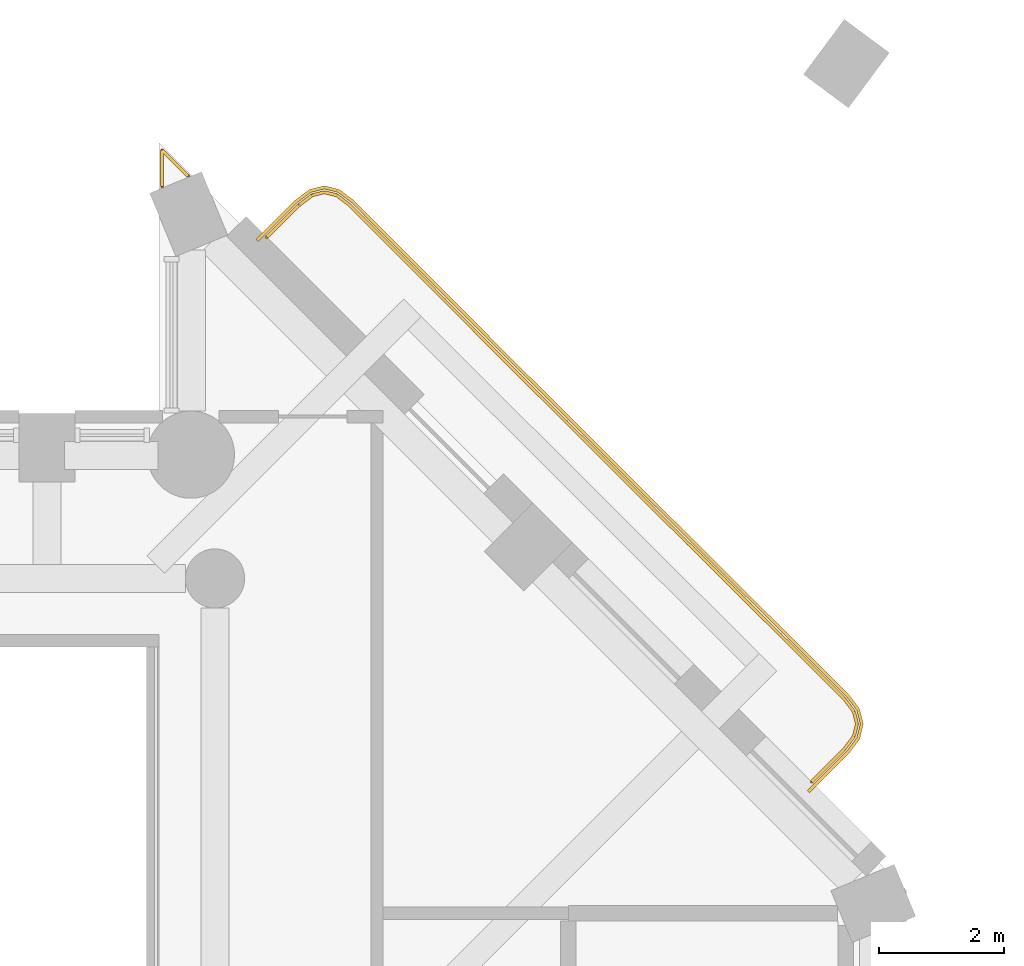
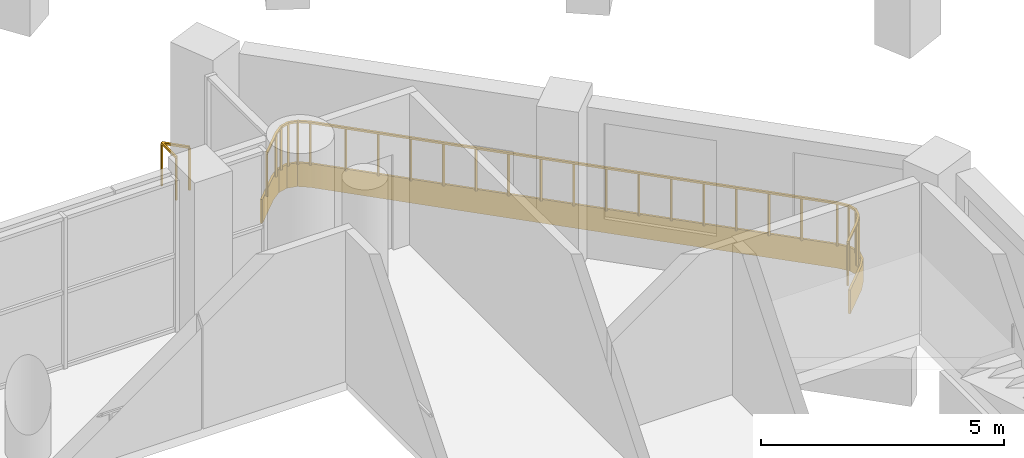
# One storey, part 16 of 16: 2 railings, 1 covering.
"""IFC4 building model written with IfcOpenShell, lengths in metres."""

from ifc_helpers import new_model, si_unit, direction, frame, origin, origin_2d, place, context, subcontext, project, spatial, polyline, rectangle, outline, extrude, material, layer, layer_set, type_object, element, save


model = new_model("IFC4")

# Units and contexts
model_context = context("Model", 3, precision=1e-05, world=origin(), true_north=direction((0.0, 1.0)))
body_context = subcontext(model_context, "Body", "Model", "MODEL_VIEW")
ifc_project = project(units=[si_unit("LENGTHUNIT", "METRE"), si_unit("AREAUNIT", "SQUARE_METRE"), si_unit("VOLUMEUNIT", "CUBIC_METRE"), si_unit("PLANEANGLEUNIT", "RADIAN"), si_unit("MASSUNIT", "GRAM", prefix="KILO")], contexts=[model_context])

# Site, building, storey
site_placement = place(None, origin())
site = spatial("IfcSite", under=ifc_project, at=site_placement, CompositionType="ELEMENT")
building_placement = place(site_placement, origin())
building = spatial("IfcBuilding", under=site, at=building_placement, Name="Cypress Arch Tower", CompositionType="ELEMENT")
storey_placement = place(building_placement, frame((0.0, 0.0, 197.39990234375)))
storey = spatial("IfcBuildingStorey", under=building, at=storey_placement, Name="L43", CompositionType="ELEMENT", Elevation=197.39990234375)

# Covering
ifc_material_1 = material(Name="White powder-coated aluminium fascia", Category="aluminium")
ifc_layer = layer(ifc_material_1, 0.050048828125)
ifc_layer_set = layer_set([ifc_layer], Name="Balcony fascia BF50")
covering_type = type_object("IfcCoveringType", Name="Balcony fascia BF50", PredefinedType="CLADDING", material=ifc_layer_set)
covering_placement = place(storey_placement, frame((0.0, 0.0, -0.599853515625)))
element("IfcCovering", 1, at=covering_placement, inside=storey, type_object=covering_type, Name="Balcony fascia L43-B05", PredefinedType="CLADDING", context=body_context, shape_type="SweptSolid", body=[
    extrude(outline(polyline([(10.283203125, 16.07177734375), (10.514404296875, 16.245361328125), (10.756591796875, 16.3056640625), (10.998779296875, 16.24462890625), (11.2294921875, 16.070556640625), (11.76953125, 15.52783203125), (12.747314453125, 14.546142578125), (13.726318359375, 13.565673828125), (14.706787109375, 12.586669921875), (15.688232421875, 11.608642578125), (16.670654296875, 10.63134765625), (17.653076171875, 9.654296875), (18.63525390625, 8.6767578125), (19.17724609375, 8.13623046875), (19.35107421875, 7.905029296875), (19.411865234375, 7.662841796875), (19.3515625, 7.420654296875), (19.177978515625, 7.189208984375), (18.545166015625, 6.556396484375), (18.509765625, 6.591796875), (19.14013671875, 7.22216796875), (19.305419921875, 7.442626953125), (19.3603515625, 7.662841796875), (19.30517578125, 7.883056640625), (19.1396484375, 8.103271484375), (18.599853515625, 8.641357421875), (17.617919921875, 9.618896484375), (16.63525390625, 10.595947265625), (15.65283203125, 11.5732421875), (14.67138671875, 12.55126953125), (13.69091796875, 13.5302734375), (12.7119140625, 14.5107421875), (11.734130859375, 15.492431640625), (11.196533203125, 16.03271484375), (10.9765625, 16.19873046875), (10.756591796875, 16.254150390625), (10.536376953125, 16.19921875), (10.31591796875, 16.033935546875), (9.691650390625, 15.40966796875), (9.65625, 15.445068359375), (10.283203125, 16.07177734375)])), origin(), (0.0, 0.0, 1.0), 0.599853515625),
])

# Railings
ifc_material_2 = material(Name="Powder-coated steel posts and rods, 100 mm clear between rods", Category="steel")
railing_type_1 = type_object("IfcRailingType", Name="Balcony guard GR1100", PredefinedType="GUARDRAIL", material=ifc_material_2)
railing_1_placement = place(storey_placement, frame((9.83251953125, 15.479736328125, 0.0)))
element("IfcRailing", 2, at=railing_1_placement, inside=storey, type_object=railing_type_1, Name="Balcony guard L43-B05", PredefinedType="GUARDRAIL", context=body_context, shape_type="SweptSolid", body=[
    extrude(rectangle(XDim=0.050048828125, YDim=0.050048828125, at=origin_2d()), frame((0.0, 0.0, 1.0751953125), z_axis=(0.707106781187, 0.707106781187, 0.0), x_axis=(-0.707106781187, 0.707106781187, 0.0)), (0.0, 0.0, 1.0), 0.730224609375),
    extrude(rectangle(XDim=0.050048828125, YDim=0.050048828125, at=origin_2d()), frame((0.516357421875, 0.516357421875, 1.0751953125), z_axis=(0.80022378315, 0.599701506486, 0.0), x_axis=(-0.599701506486, 0.80022378315, 0.0)), (0.0, 0.0, 1.0), 0.26171875),
    extrude(rectangle(XDim=0.050048828125, YDim=0.050048828125, at=origin_2d()), frame((0.725830078125, 0.67333984375, 1.0751953125), z_axis=(0.970142500145, 0.242535625036, 0.0), x_axis=(-0.242535625036, 0.970142500145, 0.0)), (0.0, 0.0, 1.0), 0.204345703125),
    extrude(rectangle(XDim=0.050048828125, YDim=0.050048828125, at=origin_2d()), frame((0.924072265625, 0.722900390625, 1.0751953125), z_axis=(0.969506314275, -0.245066330982, 0.0), x_axis=(0.245066330982, 0.969506314275, 0.0)), (0.0, 0.0, 1.0), 0.204345703125),
    extrude(rectangle(XDim=0.050048828125, YDim=0.050048828125, at=origin_2d()), frame((1.1220703125, 0.6728515625, 1.0751953125), z_axis=(0.798654463485, -0.601789870266, 0.0), x_axis=(0.601789870266, 0.798654463485, 0.0)), (0.0, 0.0, 1.0), 0.26171875),
    extrude(rectangle(XDim=0.050048828125, YDim=0.050048828125, at=origin_2d()), frame((1.3310546875, 0.515380859375, 1.0751953125), z_axis=(0.705334793936, -0.708874338979, 0.0), x_axis=(0.708874338979, 0.705334793936, 0.0)), (0.0, 0.0, 1.0), 0.7587890625),
    extrude(rectangle(XDim=0.050048828125, YDim=0.050048828125, at=origin_2d()), frame((1.8662109375, -0.0224609375, 1.0751953125), z_axis=(0.705695746668, -0.708515005581, 0.0), x_axis=(0.708515005581, 0.705695746668, 0.0)), (0.0, 0.0, 1.0), 1.385498046875),
    extrude(rectangle(XDim=0.050048828125, YDim=0.050048828125, at=origin_2d()), frame((2.843994140625, -1.004150390625, 1.0751953125), z_axis=(0.706489875267, -0.707723149364, 0.0), x_axis=(0.707723149364, 0.706489875267, 0.0)), (0.0, 0.0, 1.0), 1.3857421875),
    extrude(rectangle(XDim=0.050048828125, YDim=0.050048828125, at=origin_2d()), frame((3.822998046875, -1.98486328125, 1.0751953125), z_axis=(0.707635195548, -0.70657797165, 0.0), x_axis=(0.70657797165, 0.707635195548, 0.0)), (0.0, 0.0, 1.0), 1.385498046875),
    extrude(rectangle(XDim=0.050048828125, YDim=0.050048828125, at=origin_2d()), frame((4.803466796875, -2.9638671875, 1.0751953125), z_axis=(0.708426909875, -0.705784183278, 0.0), x_axis=(0.705784183278, 0.708426909875, 0.0)), (0.0, 0.0, 1.0), 1.3857421875),
    extrude(rectangle(XDim=0.050048828125, YDim=0.050048828125, at=origin_2d()), frame((5.78515625, -3.94189453125, 1.0751953125), z_axis=(0.708954266874, -0.705254455839, 0.0), x_axis=(0.705254455839, 0.708954266874, 0.0)), (0.0, 0.0, 1.0), 1.3857421875),
    extrude(rectangle(XDim=0.050048828125, YDim=0.050048828125, at=origin_2d()), frame((6.767578125, -4.919189453125, 1.0751953125), z_axis=(0.709042361822, -0.705165887676, 0.0), x_axis=(0.705165887676, 0.709042361822, 0.0)), (0.0, 0.0, 1.0), 1.385498046875),
    extrude(rectangle(XDim=0.050048828125, YDim=0.050048828125, at=origin_2d()), frame((7.75, -5.896240234375, 1.0751953125), z_axis=(0.708778525405, -0.705431075248, 0.0), x_axis=(0.705431075248, 0.708778525405, 0.0)), (0.0, 0.0, 1.0), 1.3857421875),
    extrude(rectangle(XDim=0.050048828125, YDim=0.050048828125, at=origin_2d()), frame((8.732177734375, -6.873779296875, 1.0751953125), z_axis=(0.70807167424, -0.706140569674, 0.0), x_axis=(0.706140569674, 0.70807167424, 0.0)), (0.0, 0.0, 1.0), 0.758544921875),
    extrude(rectangle(XDim=0.050048828125, YDim=0.050048828125, at=origin_2d()), frame((9.269287109375, -7.409423828125, 1.0751953125), z_axis=(0.600746007277, -0.799439950678, 0.0), x_axis=(0.799439950678, 0.600746007277, 0.0)), (0.0, 0.0, 1.0), 0.26171875),
    extrude(rectangle(XDim=0.050048828125, YDim=0.050048828125, at=origin_2d()), frame((9.426513671875, -7.61865234375, 1.0751953125), z_axis=(0.243659612673, -0.969860811226, 0.0), x_axis=(0.969860811226, 0.243659612673, 0.0)), (0.0, 0.0, 1.0), 0.204345703125),
    extrude(rectangle(XDim=0.050048828125, YDim=0.050048828125, at=origin_2d()), frame((9.476318359375, -7.81689453125, 1.0751953125), z_axis=(-0.242254821112, -0.970212657951, 0.0), x_axis=(0.970212657951, -0.242254821112, 0.0)), (0.0, 0.0, 1.0), 0.20458984375),
    extrude(rectangle(XDim=0.050048828125, YDim=0.050048828125, at=origin_2d()), frame((9.4267578125, -8.015380859375, 1.0751953125), z_axis=(-0.599701506486, -0.80022378315, 0.0), x_axis=(0.80022378315, -0.599701506486, 0.0)), (0.0, 0.0, 1.0), 0.26171875),
    extrude(rectangle(XDim=0.050048828125, YDim=0.050048828125, at=origin_2d()), frame((9.269775390625, -8.224853515625, 1.0751953125), z_axis=(-0.707106781187, -0.707106781187, 0.0), x_axis=(0.707106781187, -0.707106781187, 0.0)), (0.0, 0.0, 1.0), 0.73876953125),
    extrude(rectangle(XDim=0.0400390625, YDim=0.0400390625, at=origin_2d()), origin(), (0.0, 0.0, 1.0), 1.050048828125),
    extrude(rectangle(XDim=0.0400390625, YDim=0.0400390625, at=origin_2d()), frame((0.516357421875, 0.516357421875, 0.0)), (0.0, 0.0, 1.0), 1.050048828125),
    extrude(rectangle(XDim=0.0400390625, YDim=0.0400390625, at=origin_2d()), frame((0.725830078125, 0.67333984375, 0.0)), (0.0, 0.0, 1.0), 1.050048828125),
    extrude(rectangle(XDim=0.0400390625, YDim=0.0400390625, at=origin_2d()), frame((0.924072265625, 0.722900390625, 0.0)), (0.0, 0.0, 1.0), 1.050048828125),
    extrude(rectangle(XDim=0.0400390625, YDim=0.0400390625, at=origin_2d()), frame((1.1220703125, 0.6728515625, 0.0)), (0.0, 0.0, 1.0), 1.050048828125),
    extrude(rectangle(XDim=0.0400390625, YDim=0.0400390625, at=origin_2d()), frame((1.3310546875, 0.515380859375, 0.0)), (0.0, 0.0, 1.0), 1.050048828125),
    extrude(rectangle(XDim=0.0400390625, YDim=0.0400390625, at=origin_2d()), frame((1.8662109375, -0.0224609375, 0.0)), (0.0, 0.0, 1.0), 1.050048828125),
    extrude(rectangle(XDim=0.0400390625, YDim=0.0400390625, at=origin_2d()), frame((2.35498046875, -0.51318359375, 0.0)), (0.0, 0.0, 1.0), 1.050048828125),
    extrude(rectangle(XDim=0.0400390625, YDim=0.0400390625, at=origin_2d()), frame((2.843994140625, -1.004150390625, 0.0)), (0.0, 0.0, 1.0), 1.050048828125),
    extrude(rectangle(XDim=0.0400390625, YDim=0.0400390625, at=origin_2d()), frame((3.33349609375, -1.49462890625, 0.0)), (0.0, 0.0, 1.0), 1.050048828125),
    extrude(rectangle(XDim=0.0400390625, YDim=0.0400390625, at=origin_2d()), frame((3.822998046875, -1.98486328125, 0.0)), (0.0, 0.0, 1.0), 1.050048828125),
    extrude(rectangle(XDim=0.0400390625, YDim=0.0400390625, at=origin_2d()), frame((4.313232421875, -2.474365234375, 0.0)), (0.0, 0.0, 1.0), 1.050048828125),
    extrude(rectangle(XDim=0.0400390625, YDim=0.0400390625, at=origin_2d()), frame((4.803466796875, -2.9638671875, 0.0)), (0.0, 0.0, 1.0), 1.050048828125),
    extrude(rectangle(XDim=0.0400390625, YDim=0.0400390625, at=origin_2d()), frame((5.29443359375, -3.452880859375, 0.0)), (0.0, 0.0, 1.0), 1.050048828125),
    extrude(rectangle(XDim=0.0400390625, YDim=0.0400390625, at=origin_2d()), frame((5.78515625, -3.94189453125, 0.0)), (0.0, 0.0, 1.0), 1.050048828125),
    extrude(rectangle(XDim=0.0400390625, YDim=0.0400390625, at=origin_2d()), frame((6.2763671875, -4.4306640625, 0.0)), (0.0, 0.0, 1.0), 1.050048828125),
    extrude(rectangle(XDim=0.0400390625, YDim=0.0400390625, at=origin_2d()), frame((6.767578125, -4.919189453125, 0.0)), (0.0, 0.0, 1.0), 1.050048828125),
    extrude(rectangle(XDim=0.0400390625, YDim=0.0400390625, at=origin_2d()), frame((7.2587890625, -5.40771484375, 0.0)), (0.0, 0.0, 1.0), 1.050048828125),
    extrude(rectangle(XDim=0.0400390625, YDim=0.0400390625, at=origin_2d()), frame((7.75, -5.896240234375, 0.0)), (0.0, 0.0, 1.0), 1.050048828125),
    extrude(rectangle(XDim=0.0400390625, YDim=0.0400390625, at=origin_2d()), frame((8.2412109375, -6.385009765625, 0.0)), (0.0, 0.0, 1.0), 1.050048828125),
    extrude(rectangle(XDim=0.0400390625, YDim=0.0400390625, at=origin_2d()), frame((8.732177734375, -6.873779296875, 0.0)), (0.0, 0.0, 1.0), 1.050048828125),
    extrude(rectangle(XDim=0.0400390625, YDim=0.0400390625, at=origin_2d()), frame((9.269287109375, -7.409423828125, 0.0)), (0.0, 0.0, 1.0), 1.050048828125),
    extrude(rectangle(XDim=0.0400390625, YDim=0.0400390625, at=origin_2d()), frame((9.426513671875, -7.61865234375, 0.0)), (0.0, 0.0, 1.0), 1.050048828125),
    extrude(rectangle(XDim=0.0400390625, YDim=0.0400390625, at=origin_2d()), frame((9.476318359375, -7.81689453125, 0.0)), (0.0, 0.0, 1.0), 1.050048828125),
    extrude(rectangle(XDim=0.0400390625, YDim=0.0400390625, at=origin_2d()), frame((9.4267578125, -8.015380859375, 0.0)), (0.0, 0.0, 1.0), 1.050048828125),
    extrude(rectangle(XDim=0.0400390625, YDim=0.0400390625, at=origin_2d()), frame((9.269775390625, -8.224853515625, 0.0)), (0.0, 0.0, 1.0), 1.050048828125),
    extrude(rectangle(XDim=0.0400390625, YDim=0.0400390625, at=origin_2d()), frame((8.747314453125, -8.747314453125, 0.0)), (0.0, 0.0, 1.0), 1.050048828125),
])
ifc_material_3 = material(Name="Powder-coated steel posts and rods, 100 mm clear between rods", Category="steel")
railing_type_2 = type_object("IfcRailingType", Name="Corner guard GR1100C", PredefinedType="GUARDRAIL", material=ifc_material_3)
railing_2_placement = place(storey_placement, frame((8.14990234375, 16.290771484375, 0.0)))
element("IfcRailing", 3, at=railing_2_placement, inside=storey, type_object=railing_type_2, Name="Corner guard L43 7", PredefinedType="GUARDRAIL", context=body_context, shape_type="SweptSolid", body=[
    extrude(rectangle(XDim=0.050048828125, YDim=0.050048828125, at=origin_2d()), frame((0.0, 0.0, 1.0751953125), z_axis=(0.0, 1.0, 0.0), x_axis=(-1.0, 0.0, 0.0)), (0.0, 0.0, 1.0), 0.588623046875),
    extrude(rectangle(XDim=0.050048828125, YDim=0.050048828125, at=origin_2d()), frame((0.0, 0.588623046875, 1.0751953125), z_axis=(0.707106781187, -0.707106781187, 0.0), x_axis=(0.707106781187, 0.707106781187, 0.0)), (0.0, 0.0, 1.0), 0.588623046875),
    extrude(rectangle(XDim=0.0400390625, YDim=0.0400390625, at=origin_2d()), origin(), (0.0, 0.0, 1.0), 1.050048828125),
    extrude(rectangle(XDim=0.0400390625, YDim=0.0400390625, at=origin_2d()), frame((0.0, 0.588623046875, 0.0)), (0.0, 0.0, 1.0), 1.050048828125),
    extrude(rectangle(XDim=0.0400390625, YDim=0.0400390625, at=origin_2d()), frame((0.416259765625, 0.17236328125, 0.0)), (0.0, 0.0, 1.0), 1.050048828125),
])

save(model, "model.ifc")
